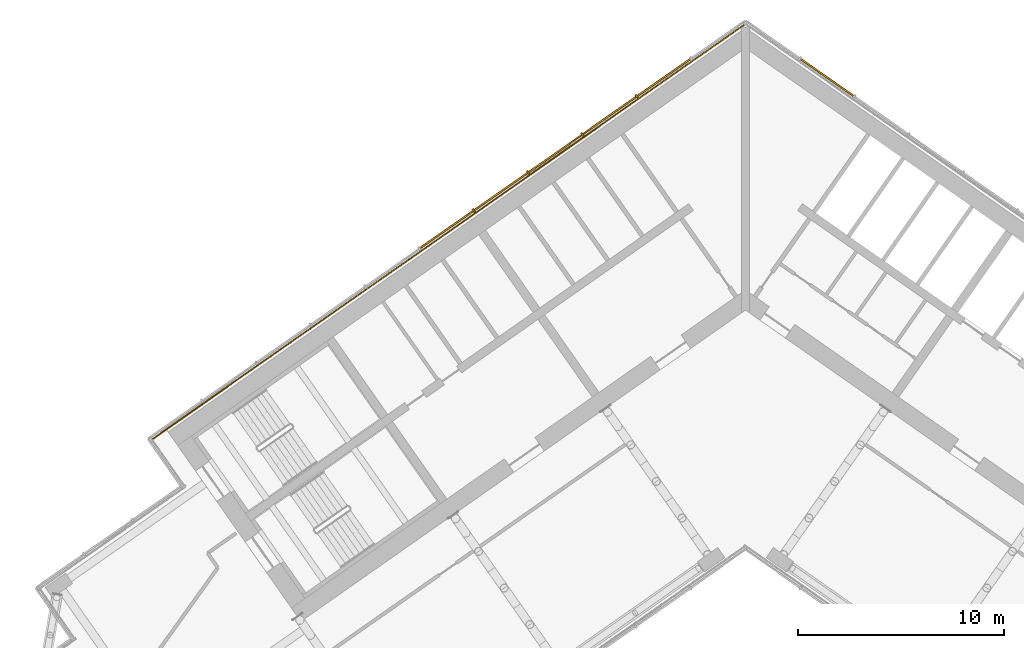
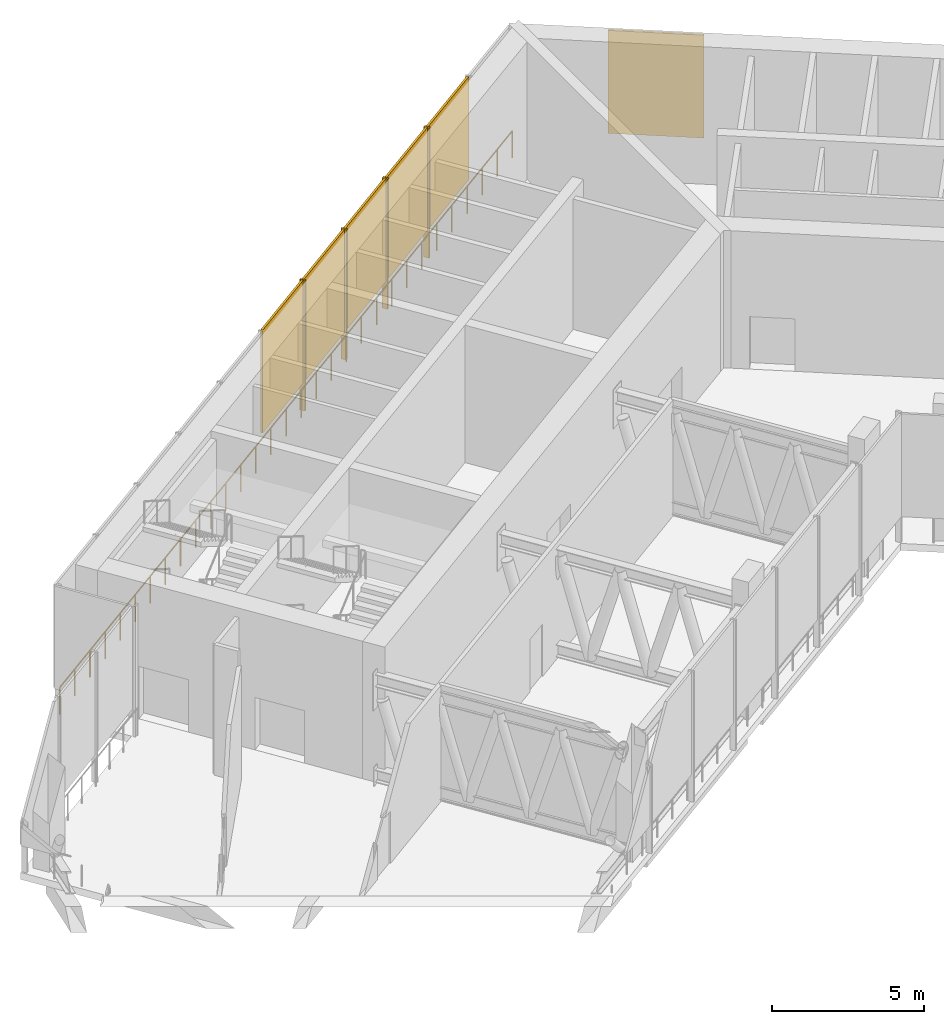
# One storey, part 17 of 19: 10 shading devices, 1 railing.
"""IFC4 building model written with IfcOpenShell, lengths in metres."""

from ifc_helpers import new_model, si_unit, direction, frame, origin, origin_2d, place, context, subcontext, project, spatial, rectangle, circle, extrude, material, layer, layer_set, type_object, element, save


model = new_model("IFC4")

# Units and contexts
model_context = context("Model", 3, precision=1e-05, world=origin(), true_north=direction((0.0, 1.0)))
body_context = subcontext(model_context, "Body", "Model", "MODEL_VIEW")
ifc_project = project(units=[si_unit("LENGTHUNIT", "METRE"), si_unit("AREAUNIT", "SQUARE_METRE"), si_unit("VOLUMEUNIT", "CUBIC_METRE"), si_unit("PLANEANGLEUNIT", "RADIAN"), si_unit("MASSUNIT", "GRAM", prefix="KILO")], contexts=[model_context])

# Site, building, storey
site_placement = place(None, origin())
site = spatial("IfcSite", under=ifc_project, at=site_placement, CompositionType="ELEMENT")
building_placement = place(site_placement, origin())
building = spatial("IfcBuilding", under=site, at=building_placement, Name="Tel Ilan Convention Tower", CompositionType="ELEMENT")
storey_placement = place(building_placement, frame((0.0, 0.0, 213.89990234375)))
storey = spatial("IfcBuildingStorey", under=building, at=storey_placement, Name="L50", CompositionType="ELEMENT", Elevation=213.89990234375)

# Shading devices
ifc_material_1 = material(Name="Perforated aluminium sheet, bronze anodised", Category="aluminium")
ifc_layer_1 = layer(ifc_material_1, 0.080078125)
ifc_layer_set_1 = layer_set([ifc_layer_1], Name="PERFORATED SCREEN 80")
shading_device_type_1 = type_object("IfcShadingDeviceType", Name="PERFORATED SCREEN 80", PredefinedType="USERDEFINED", material=ifc_layer_set_1)
for number, where, z_axis, x_axis, name in (
    (1, (3.948974609375, 10.052978515625, 1.10009765625), (0.0, 0.0, 1.0), (-0.819152044289, 0.573576436351, 0.0), "SCREEN"),
    (2, (-3.948974609375, 10.052978515625, 1.10009765625), (0.0, 0.0, 1.0), (-0.819152044289, -0.573576436351, 0.0), "SCREEN"),
    (3, (-6.58154296875, 8.209716796875, 1.10009765625), (0.0, 0.0, 1.0), (-0.819152044289, -0.573576436351, 0.0), "SCREEN"),
    (4, (-9.214111328125, 6.3662109375, 1.10009765625), (0.0, 0.0, 1.0), (-0.819152044289, -0.573576436351, 0.0), "SCREEN"),
    (5, (-11.8466796875, 4.52294921875, 1.10009765625), (0.0, 0.0, 1.0), (-0.819152044289, -0.573576436351, 0.0), "SCREEN"),
    (6, (-14.4794921875, 2.679443359375, 1.10009765625), (0.0, 0.0, 1.0), (-0.819152044289, -0.573576436351, 0.0), "SCREEN"),
):
    element("IfcShadingDevice", number, at=place(storey_placement, frame(where, z_axis=z_axis, x_axis=x_axis)), inside=storey, type_object=shading_device_type_1, Name=name, ObjectType="SCREEN", PredefinedType="USERDEFINED", context=body_context, shape_type="SweptSolid", body=[
        extrude(rectangle(XDim=3.15380859375, YDim=0.080078125, at=origin_2d()), origin(), (0.0, 0.0, 1.0), 4.1201171875),
    ])

# Railing
ifc_material_2 = material(Name="Stainless steel S316", Category="steel")
railing_type = type_object("IfcRailingType", Name="REFUGE EDGE GUARD 1100", PredefinedType="GUARDRAIL", material=ifc_material_2)
railing_placement = place(storey_placement, frame((-28.763916015625, -7.493408203125, 0.0)))
element("IfcRailing", 7, at=railing_placement, inside=storey, type_object=railing_type, Name="Refuge edge guard 39.R08", PredefinedType="GUARDRAIL", context=body_context, shape_type="SweptSolid", body=[
    extrude(circle(Radius=0.02490234375, at=origin_2d()), frame((0.0, 0.0, 1.0751953125), z_axis=(0.819153192638, 0.573574796335, 0.0), x_axis=(-0.573574796335, 0.819153192638, 0.0)), (0.0, 0.0, 1.0), 35.1142578125),
    extrude(circle(Radius=0.02490234375, at=origin_2d()), origin(), (0.0, 0.0, 1.0), 1.050048828125),
    extrude(circle(Radius=0.02490234375, at=origin_2d()), frame((0.958740234375, 0.67138671875, 0.0)), (0.0, 0.0, 1.0), 1.050048828125),
    extrude(circle(Radius=0.02490234375, at=origin_2d()), frame((1.91748046875, 1.3427734375, 0.0)), (0.0, 0.0, 1.0), 1.050048828125),
    extrude(circle(Radius=0.02490234375, at=origin_2d()), frame((2.87646484375, 2.01416015625, 0.0)), (0.0, 0.0, 1.0), 1.050048828125),
    extrude(circle(Radius=0.02490234375, at=origin_2d()), frame((3.835205078125, 2.685302734375, 0.0)), (0.0, 0.0, 1.0), 1.050048828125),
    extrude(circle(Radius=0.02490234375, at=origin_2d()), frame((4.7939453125, 3.356689453125, 0.0)), (0.0, 0.0, 1.0), 1.050048828125),
    extrude(circle(Radius=0.02490234375, at=origin_2d()), frame((5.752685546875, 4.028076171875, 0.0)), (0.0, 0.0, 1.0), 1.050048828125),
    extrude(circle(Radius=0.02490234375, at=origin_2d()), frame((6.711669921875, 4.699462890625, 0.0)), (0.0, 0.0, 1.0), 1.050048828125),
    extrude(circle(Radius=0.02490234375, at=origin_2d()), frame((7.67041015625, 5.370849609375, 0.0)), (0.0, 0.0, 1.0), 1.050048828125),
    extrude(circle(Radius=0.02490234375, at=origin_2d()), frame((8.629150390625, 6.042236328125, 0.0)), (0.0, 0.0, 1.0), 1.050048828125),
    extrude(circle(Radius=0.02490234375, at=origin_2d()), frame((9.587890625, 6.713623046875, 0.0)), (0.0, 0.0, 1.0), 1.050048828125),
    extrude(circle(Radius=0.02490234375, at=origin_2d()), frame((10.546875, 7.385009765625, 0.0)), (0.0, 0.0, 1.0), 1.050048828125),
    extrude(circle(Radius=0.02490234375, at=origin_2d()), frame((11.505615234375, 8.05615234375, 0.0)), (0.0, 0.0, 1.0), 1.050048828125),
    extrude(circle(Radius=0.02490234375, at=origin_2d()), frame((12.46435546875, 8.7275390625, 0.0)), (0.0, 0.0, 1.0), 1.050048828125),
    extrude(circle(Radius=0.02490234375, at=origin_2d()), frame((13.423095703125, 9.39892578125, 0.0)), (0.0, 0.0, 1.0), 1.050048828125),
    extrude(circle(Radius=0.02490234375, at=origin_2d()), frame((14.3818359375, 10.0703125, 0.0)), (0.0, 0.0, 1.0), 1.050048828125),
    extrude(circle(Radius=0.02490234375, at=origin_2d()), frame((15.3408203125, 10.74169921875, 0.0)), (0.0, 0.0, 1.0), 1.050048828125),
    extrude(circle(Radius=0.02490234375, at=origin_2d()), frame((16.299560546875, 11.4130859375, 0.0)), (0.0, 0.0, 1.0), 1.050048828125),
    extrude(circle(Radius=0.02490234375, at=origin_2d()), frame((17.25830078125, 12.08447265625, 0.0)), (0.0, 0.0, 1.0), 1.050048828125),
    extrude(circle(Radius=0.02490234375, at=origin_2d()), frame((18.217041015625, 12.755615234375, 0.0)), (0.0, 0.0, 1.0), 1.050048828125),
    extrude(circle(Radius=0.02490234375, at=origin_2d()), frame((19.176025390625, 13.427001953125, 0.0)), (0.0, 0.0, 1.0), 1.050048828125),
    extrude(circle(Radius=0.02490234375, at=origin_2d()), frame((20.134765625, 14.098388671875, 0.0)), (0.0, 0.0, 1.0), 1.050048828125),
    extrude(circle(Radius=0.02490234375, at=origin_2d()), frame((21.093505859375, 14.769775390625, 0.0)), (0.0, 0.0, 1.0), 1.050048828125),
    extrude(circle(Radius=0.02490234375, at=origin_2d()), frame((22.05224609375, 15.441162109375, 0.0)), (0.0, 0.0, 1.0), 1.050048828125),
    extrude(circle(Radius=0.02490234375, at=origin_2d()), frame((23.01123046875, 16.112548828125, 0.0)), (0.0, 0.0, 1.0), 1.050048828125),
    extrude(circle(Radius=0.02490234375, at=origin_2d()), frame((23.969970703125, 16.783935546875, 0.0)), (0.0, 0.0, 1.0), 1.050048828125),
    extrude(circle(Radius=0.02490234375, at=origin_2d()), frame((24.9287109375, 17.455322265625, 0.0)), (0.0, 0.0, 1.0), 1.050048828125),
    extrude(circle(Radius=0.02490234375, at=origin_2d()), frame((25.887451171875, 18.12646484375, 0.0)), (0.0, 0.0, 1.0), 1.050048828125),
    extrude(circle(Radius=0.02490234375, at=origin_2d()), frame((26.846435546875, 18.7978515625, 0.0)), (0.0, 0.0, 1.0), 1.050048828125),
    extrude(circle(Radius=0.02490234375, at=origin_2d()), frame((27.80517578125, 19.46923828125, 0.0)), (0.0, 0.0, 1.0), 1.050048828125),
    extrude(circle(Radius=0.02490234375, at=origin_2d()), frame((28.763916015625, 20.140625, 0.0)), (0.0, 0.0, 1.0), 1.050048828125),
])

# Shading devices
ifc_material_3 = material(Name="Aluminium, bronze anodised", Category="aluminium")
ifc_layer_2 = layer(ifc_material_3, 0.080078125)
ifc_layer_set_2 = layer_set([ifc_layer_2], Name="SCREEN POST 80x200")
shading_device_type_2 = type_object("IfcShadingDeviceType", Name="SCREEN POST 80x200", PredefinedType="USERDEFINED", material=ifc_layer_set_2)
for number, where, z_axis, x_axis, name in (
    (8, (-5.26513671875, 9.13134765625, 0.0), (0.0, 0.0, 1.0), (-0.819152044289, -0.573576436351, 0.0), "Screen post"),
    (9, (-7.89794921875, 7.2880859375, 0.0), (0.0, 0.0, 1.0), (-0.819152044289, -0.573576436351, 0.0), "Screen post"),
    (10, (-10.530517578125, 5.444580078125, 0.0), (0.0, 0.0, 1.0), (-0.819152044289, -0.573576436351, 0.0), "Screen post"),
    (11, (-13.1630859375, 3.601318359375, 0.0), (0.0, 0.0, 1.0), (-0.819152044289, -0.573576436351, 0.0), "Screen post"),
):
    element("IfcShadingDevice", number, at=place(storey_placement, frame(where, z_axis=z_axis, x_axis=x_axis)), inside=storey, type_object=shading_device_type_2, Name=name, ObjectType="SCREEN POST", PredefinedType="USERDEFINED", context=body_context, shape_type="SweptSolid", body=[
        extrude(rectangle(XDim=0.080078125, YDim=0.199951171875, at=origin_2d()), origin(), (0.0, 0.0, 1.0), 5.219970703125),
    ])

save(model, "model.ifc")
